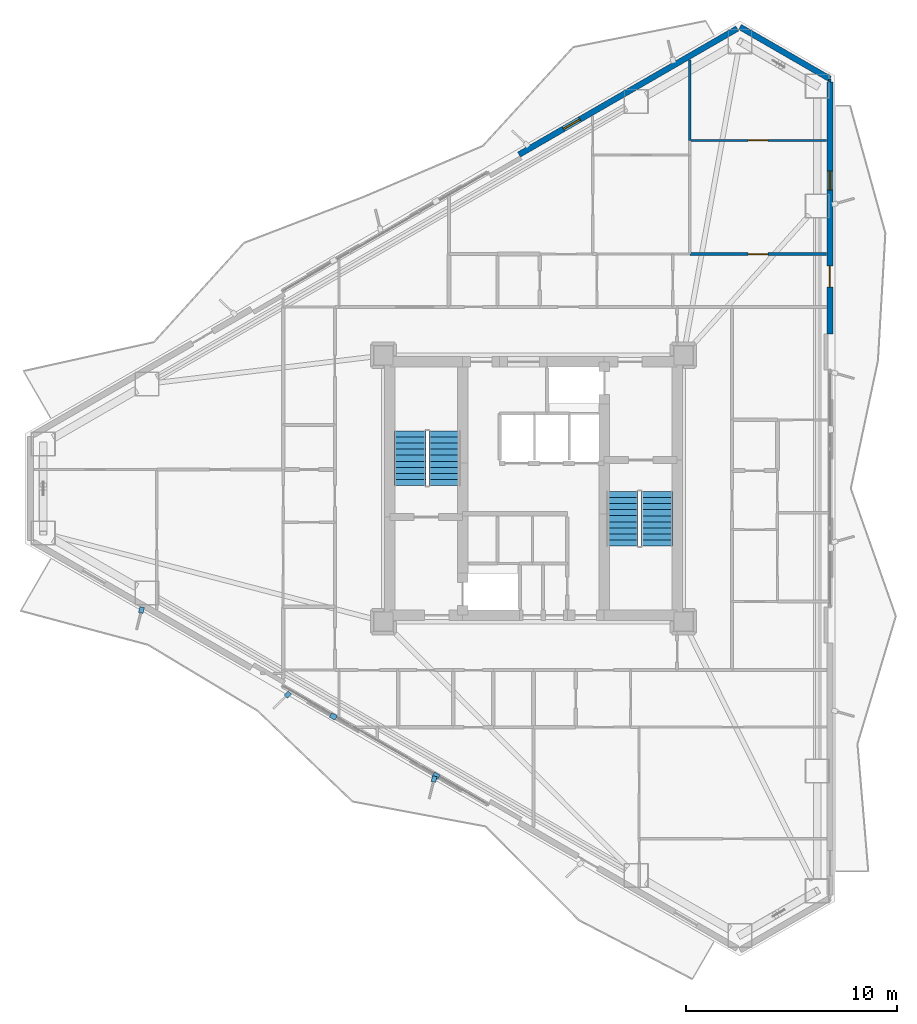
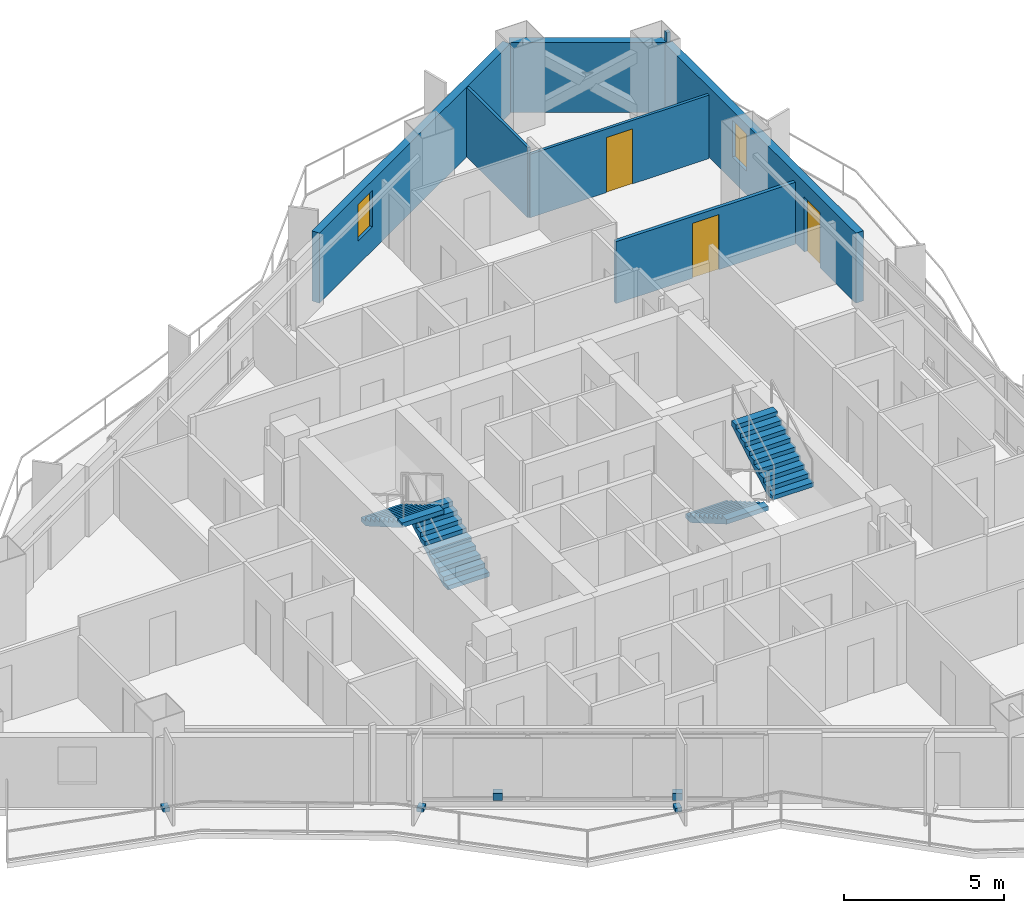
# One storey, part 20 of 23: 7 walls, 5 discrete accessories, 4 stair flights, 3 doors, 2 windows, 5 openings, 2 elements without a shape of their own.
"""IFC4 building model written with IfcOpenShell, lengths in metres."""

from ifc_helpers import new_model, si_unit, direction, frame, frame_2d, origin, origin_2d, place, context, subcontext, project, spatial, polyline, rectangle, outline, extrude, material, layer, layer_set, type_object, element, fill, aggregate, save


model = new_model("IFC4")

# Units and contexts
model_context = context("Model", 3, precision=1e-05, world=origin(), true_north=direction((0.0, 1.0)))
body_context = subcontext(model_context, "Body", "Model", "MODEL_VIEW")
ifc_project = project(units=[si_unit("LENGTHUNIT", "METRE"), si_unit("AREAUNIT", "SQUARE_METRE"), si_unit("VOLUMEUNIT", "CUBIC_METRE"), si_unit("PLANEANGLEUNIT", "RADIAN"), si_unit("MASSUNIT", "GRAM", prefix="KILO")], contexts=[model_context])

# Site, building, storey
site_placement = place(None, origin())
site = spatial("IfcSite", under=ifc_project, at=site_placement, CompositionType="ELEMENT")
building_placement = place(site_placement, origin())
building = spatial("IfcBuilding", under=site, at=building_placement, Name="Mersakhor Tower and Convention Hall", CompositionType="ELEMENT")
storey_placement = place(building_placement, frame((0.0, 0.0, 73.5)))
storey = spatial("IfcBuildingStorey", under=building, at=storey_placement, Name="L19", CompositionType="ELEMENT", Elevation=73.5)

# Wall
ifc_material_1 = material(Name="Precast concrete C45/55", Category="concrete")
ifc_layer_1 = layer(ifc_material_1, 0.27490234375)
ifc_layer_set_1 = layer_set([ifc_layer_1], Name="Precast concrete C45/55")
wall_type_1 = type_object("IfcWallType", Name="WL-EXT-275", PredefinedType="SOLIDWALL", material=ifc_layer_set_1)
wall_1_placement = place(storey_placement, frame((38.77880859375, 48.6015625, 0.0), z_axis=(0.0, 0.0, 1.0), x_axis=(0.866011848704, -0.500023477353, 0.0)))
element("IfcWall", 1, at=wall_1_placement, inside=storey, type_object=wall_type_1, Name="L19 Chamfer Braced Spandrel Wall C1", PredefinedType="SOLIDWALL", context=body_context, shape_type="SweptSolid", body=[
    extrude(rectangle(XDim=4.914306640625, YDim=0.27490234375, at=frame_2d((2.45703125, 0.0))), origin(), (0.0, 0.0, 1.0), 2.669921875),
])

# Wall, opening, window
wall_2_placement = place(storey_placement, frame((28.3173828125, 42.561767578125, 0.0), z_axis=(0.0, 0.0, 1.0), x_axis=(0.866023023012, 0.500004123596, 0.0)))
wall_2 = element("IfcWall", 2, at=wall_2_placement, inside=storey, type_object=wall_type_1, Name="L19 Exterior Facade Wall F1-B3", PredefinedType="SOLIDWALL", context=body_context, shape_type="SweptSolid", body=[
    extrude(rectangle(XDim=11.9296875, YDim=0.27490234375, at=frame_2d((5.96484375, 0.0))), origin(), (0.0, 0.0, 1.0), 2.669921875),
])
opening_1_placement = place(wall_2_placement, frame((2.427001953125, 0.0, 0.89990234375)))
opening_1 = element("IfcOpeningElement", 3, at=opening_1_placement, cuts=wall_2, Name="Opening W-06", PredefinedType="OPENING", context=body_context, shape_type="SweptSolid", body=[
    extrude(rectangle(XDim=0.89990234375, YDim=1.39990234375, at=frame_2d((0.449951171875, 0.699951171875))), frame((0.0, 0.1474609375, 0.0), z_axis=(0.0, -1.0, 0.0), x_axis=(1.0, 0.0, 0.0)), (0.0, 0.0, 1.0), 0.294921875),
])
ifc_material_2 = material(Name="Dark solar low-E glazed aluminium window", Category="aluminium")
window_type = type_object("IfcWindowType", Name="WN-STD-090x140", PartitioningType="SINGLE_PANEL", PredefinedType="WINDOW", material=ifc_material_2)
window_1_placement = place(opening_1_placement, origin())
window_1 = element("IfcWindow", 4, at=window_1_placement, inside=storey, type_object=window_type, Name="L19 Facade Punched Window F1-B3", OverallHeight=1.39990234375, OverallWidth=0.89990234375, PartitioningType="SINGLE_PANEL", PredefinedType="WINDOW", context=body_context, shape_type="SweptSolid", body=[
    extrude(rectangle(XDim=0.89990234375, YDim=1.39990234375, at=frame_2d((0.449951171875, 0.699951171875))), frame((0.0, 0.030029296875, 0.0), z_axis=(0.0, -1.0, 0.0), x_axis=(1.0, 0.0, 0.0)), (0.0, 0.0, 1.0), 0.06005859375),
])
fill(opening_1, window_1)

# Wall, openings, door, window
wall_3_placement = place(storey_placement, frame((43.03466796875, 45.994384765625, 0.0), z_axis=(0.0, 0.0, 1.0), x_axis=(0.0, -1.0, 0.0)))
wall_3 = element("IfcWall", 5, at=wall_3_placement, inside=storey, type_object=wall_type_1, Name="L19 Exterior Facade Wall F2-B1", PredefinedType="SOLIDWALL", context=body_context, shape_type="SweptSolid", body=[
    extrude(rectangle(XDim=11.9296875, YDim=0.27490234375, at=frame_2d((5.96484375, 0.0))), origin(), (0.0, 0.0, 1.0), 2.669921875),
])
opening_2_placement = place(wall_3_placement, frame((8.7041015625, 0.0, 0.0)))
opening_2 = element("IfcOpeningElement", 6, at=opening_2_placement, cuts=wall_3, Name="Opening BD-01", PredefinedType="OPENING", context=body_context, shape_type="SweptSolid", body=[
    extrude(rectangle(XDim=1.0, YDim=2.10009765625, at=frame_2d((0.5, 1.050048828125))), frame((0.0, 0.1474609375, 0.0), z_axis=(0.0, -1.0, 0.0), x_axis=(1.0, 0.0, 0.0)), (0.0, 0.0, 1.0), 0.294921875),
])
opening_3_placement = place(wall_3_placement, frame((4.214111328125, 0.0, 0.89990234375)))
opening_3 = element("IfcOpeningElement", 7, at=opening_3_placement, cuts=wall_3, Name="Opening W-06", PredefinedType="OPENING", context=body_context, shape_type="SweptSolid", body=[
    extrude(rectangle(XDim=0.89990234375, YDim=1.39990234375, at=frame_2d((0.449951171875, 0.699951171875))), frame((0.0, 0.1474609375, 0.0), z_axis=(0.0, -1.0, 0.0), x_axis=(1.0, 0.0, 0.0)), (0.0, 0.0, 1.0), 0.294921875),
])
ifc_material_3 = material(Name="Thermally broken dark aluminium and safety glass", Category="aluminium")
door_type_1 = type_object("IfcDoorType", Name="DR-BAL-100x210", OperationType="NOTDEFINED", PredefinedType="DOOR", material=ifc_material_3)
door_1_placement = place(opening_2_placement, origin())
door_1 = element("IfcDoor", 8, at=door_1_placement, inside=storey, type_object=door_type_1, Name="L19 Balcony Terrace Door F2-B1", OperationType="SINGLE_SWING_LEFT", OverallHeight=2.10009765625, OverallWidth=1.0, PredefinedType="DOOR", context=body_context, shape_type="SweptSolid", body=[
    extrude(rectangle(XDim=1.0, YDim=2.10009765625, at=frame_2d((0.5, 1.050048828125))), frame((0.0, 0.02490234375, 0.0), z_axis=(0.0, -1.0, 0.0), x_axis=(1.0, 0.0, 0.0)), (0.0, 0.0, 1.0), 0.050048828125),
])
fill(opening_2, door_1)
window_2_placement = place(opening_3_placement, origin())
window_2 = element("IfcWindow", 9, at=window_2_placement, inside=storey, type_object=window_type, Name="L19 Bedroom Facade Window F2-B1-1", OverallHeight=1.39990234375, OverallWidth=0.89990234375, PartitioningType="SINGLE_PANEL", PredefinedType="WINDOW", context=body_context, shape_type="SweptSolid", body=[
    extrude(rectangle(XDim=0.89990234375, YDim=1.39990234375, at=frame_2d((0.449951171875, 0.699951171875))), frame((0.0, 0.030029296875, 0.0), z_axis=(0.0, -1.0, 0.0), x_axis=(1.0, 0.0, 0.0)), (0.0, 0.0, 1.0), 0.06005859375),
])
fill(opening_3, window_2)

# Wall
ifc_material_4 = material(Name="Lightweight gypsum partition", Category="other")
ifc_layer_2 = layer(ifc_material_4, 0.10009765625)
ifc_layer_set_2 = layer_set([ifc_layer_2], Name="Lightweight gypsum partition")
wall_type_2 = type_object("IfcWallType", Name="WL-PRT-100", PredefinedType="PARTITIONING", material=ifc_layer_set_2)
wall_4_placement = place(storey_placement, frame((36.39990234375, 47.041748046875, 0.0), z_axis=(0.0, 0.0, 1.0), x_axis=(0.0, -1.0, 0.0)))
element("IfcWall", 10, at=wall_4_placement, inside=storey, type_object=wall_type_2, Name="L19 Interior Partition Wall P-116", PredefinedType="PARTITIONING", context=body_context, shape_type="SweptSolid", body=[
    extrude(rectangle(XDim=3.811767578125, YDim=0.10009765625, at=frame_2d((1.90576171875, 0.0))), origin(), (0.0, 0.0, 1.0), 2.660400390625),
])

# Wall, opening, door
wall_5_placement = place(storey_placement, frame((36.39990234375, 43.22998046875, 0.0), z_axis=(0.0, 0.0, 1.0), x_axis=(1.0, 0.0, 0.0)))
wall_5 = element("IfcWall", 11, at=wall_5_placement, inside=storey, type_object=wall_type_2, Name="L19 Interior Partition Wall P-118", PredefinedType="PARTITIONING", context=body_context, shape_type="SweptSolid", body=[
    extrude(rectangle(XDim=6.47314453125, YDim=0.10009765625, at=frame_2d((3.236572265625, 0.0))), origin(), (0.0, 0.0, 1.0), 2.4228515625),
])
opening_4_placement = place(wall_5_placement, frame((2.76171875, 0.0, 0.0)))
opening_4 = element("IfcOpeningElement", 12, at=opening_4_placement, cuts=wall_5, Name="Opening RD-01", PredefinedType="OPENING", context=body_context, shape_type="SweptSolid", body=[
    extrude(rectangle(XDim=0.949951171875, YDim=2.10009765625, at=frame_2d((0.47509765625, 1.050048828125))), frame((0.0, 0.06005859375, 0.0), z_axis=(0.0, -1.0, 0.0), x_axis=(1.0, 0.0, 0.0)), (0.0, 0.0, 1.0), 0.1201171875),
])
ifc_material_5 = material(Name="Solid-core hardwood leaf in painted steel frame", Category="steel")
door_type_2 = type_object("IfcDoorType", Name="DR-INT-RM-095x210", OperationType="NOTDEFINED", PredefinedType="DOOR", material=ifc_material_5)
door_2_placement = place(opening_4_placement, origin())
door_2 = element("IfcDoor", 13, at=door_2_placement, inside=storey, type_object=door_type_2, Name="L19 L19 Flat N1 Bedroom 2 to L19 Flat N1 Study Room Door", OperationType="SINGLE_SWING_RIGHT", OverallHeight=2.10009765625, OverallWidth=0.949951171875, PredefinedType="DOOR", context=body_context, shape_type="SweptSolid", body=[
    extrude(rectangle(XDim=0.949951171875, YDim=2.10009765625, at=frame_2d((0.47509765625, 1.050048828125))), frame((0.0, 0.02490234375, 0.0), z_axis=(0.0, -1.0, 0.0), x_axis=(1.0, 0.0, 0.0)), (0.0, 0.0, 1.0), 0.050048828125),
])
fill(opening_4, door_2)

ifc_material_6 = material(Name="Gypsum board acoustic partition", Category="other")
ifc_layer_3 = layer(ifc_material_6, 0.125)
ifc_layer_set_3 = layer_set([ifc_layer_3], Name="Gypsum board acoustic partition")
wall_type_3 = type_object("IfcWallType", Name="WL-PRT-125", PredefinedType="PARTITIONING", material=ifc_layer_set_3)
wall_6_placement = place(storey_placement, frame((36.39990234375, 37.85009765625, 0.0), z_axis=(0.0, 0.0, 1.0), x_axis=(1.0, 0.0, 0.0)))
wall_6 = element("IfcWall", 14, at=wall_6_placement, inside=storey, type_object=wall_type_3, Name="L19 Interior Partition Wall P-111", PredefinedType="PARTITIONING", context=body_context, shape_type="SweptSolid", body=[
    extrude(rectangle(XDim=6.47314453125, YDim=0.125, at=frame_2d((3.236572265625, 0.0))), origin(), (0.0, 0.0, 1.0), 2.364990234375),
])
opening_5_placement = place(wall_6_placement, frame((2.76171875, 0.0, 0.0)))
opening_5 = element("IfcOpeningElement", 15, at=opening_5_placement, cuts=wall_6, Name="Opening RD-01", PredefinedType="OPENING", context=body_context, shape_type="SweptSolid", body=[
    extrude(rectangle(XDim=0.949951171875, YDim=2.10009765625, at=frame_2d((0.47509765625, 1.050048828125))), frame((0.0, 0.072509765625, 0.0), z_axis=(0.0, -1.0, 0.0), x_axis=(1.0, 0.0, 0.0)), (0.0, 0.0, 1.0), 0.14501953125),
])
door_3_placement = place(opening_5_placement, origin())
door_3 = element("IfcDoor", 16, at=door_3_placement, inside=storey, type_object=door_type_2, Name="L19 L19 Flat N1 Study Room to L19 Flat N1 Bedroom 2 Door", OperationType="SINGLE_SWING_RIGHT", OverallHeight=2.10009765625, OverallWidth=0.949951171875, PredefinedType="DOOR", context=body_context, shape_type="SweptSolid", body=[
    extrude(rectangle(XDim=0.949951171875, YDim=2.10009765625, at=frame_2d((0.47509765625, 1.050048828125))), frame((0.0, 0.02490234375, 0.0), z_axis=(0.0, -1.0, 0.0), x_axis=(1.0, 0.0, 0.0)), (0.0, 0.0, 1.0), 0.050048828125),
])
fill(opening_5, door_3)

# Wall
wall_7_placement = place(storey_placement, frame((43.034912109375, 46.14404296875, 0.0), z_axis=(0.0, 0.0, 1.0), x_axis=(0.0, -1.0, 0.0)))
element("IfcWall", 17, at=wall_7_placement, inside=storey, type_object=wall_type_3, Name="L19 Interior Partition Wall P-119", PredefinedType="PARTITIONING", context=body_context, shape_type="SweptSolid", body=[
    extrude(rectangle(XDim=0.149658203125, YDim=0.125, at=frame_2d((0.07470703125, 0.0))), origin(), (0.0, 0.0, 1.0), 3.050048828125),
])

# Stair, stair flights
ifc_material_7 = material(Name="Concrete C45/55", Category="concrete")
stair_type = type_object("IfcStairType", Name="ST-TWR-20R", PredefinedType="HALF_TURN_STAIR", material=ifc_material_7)
stair_1_placement = place(storey_placement, origin())
stair_1 = element("IfcStair", 18, at=stair_1_placement, inside=storey, type_object=stair_type, Name="L19 Tower Protected Exit Stair ST-1", PredefinedType="HALF_TURN_STAIR")
ifc_material_8 = material(Name="Concrete C45/55", Category="concrete")
stair_flight_type = type_object("IfcStairFlightType", Name="SFL-TWR-20R", PredefinedType="STRAIGHT", material=ifc_material_8)
stair_flight_1_placement = place(storey_placement, frame((24.800048828125, 26.89990234375, 0.0), z_axis=(0.0, 0.0, 1.0), x_axis=(0.0, 1.0, 0.0)))
stair_flight_1 = element("IfcStairFlight", 19, at=stair_flight_1_placement, type_object=stair_flight_type, Name="ST-1 flight 1", NumberOfRisers=10, NumberOfTreads=9, PredefinedType="STRAIGHT", RiserHeight=0.165, TreadLength=0.285, context=body_context, shape_type="SweptSolid", body=[
    extrude(outline(polyline([(0.0, 0.0), (0.0, 0.1650390625), (0.284912109375, 0.1650390625), (0.284912109375, 0.330078125), (0.570068359375, 0.330078125), (0.570068359375, 0.4951171875), (0.85498046875, 0.4951171875), (0.85498046875, 0.659912109375), (1.139892578125, 0.659912109375), (1.139892578125, 0.824951171875), (1.425048828125, 0.824951171875), (1.425048828125, 0.989990234375), (1.7099609375, 0.989990234375), (1.7099609375, 1.155029296875), (1.9951171875, 1.155029296875), (1.9951171875, 1.320068359375), (2.280029296875, 1.320068359375), (2.280029296875, 1.485107421875), (2.56494140625, 1.485107421875), (2.56494140625, 1.64990234375), (2.56494140625, 1.311767578125), (0.299072265625, 0.0), (0.0, 0.0)])), frame((0.0, 0.75, 0.0), z_axis=(0.0, -1.0, 0.0), x_axis=(1.0, 0.0, 0.0)), (0.0, 0.0, 1.0), 1.5),
])
stair_flight_2_placement = place(storey_placement, frame((23.14990234375, 29.465087890625, 1.64990234375), z_axis=(0.0, 0.0, 1.0), x_axis=(0.0, -1.0, 0.0)))
stair_flight_2 = element("IfcStairFlight", 20, at=stair_flight_2_placement, type_object=stair_flight_type, Name="ST-1 flight 2", NumberOfRisers=10, NumberOfTreads=9, PredefinedType="STRAIGHT", RiserHeight=0.165, TreadLength=0.285, context=body_context, shape_type="SweptSolid", body=[
    extrude(outline(polyline([(0.0, 0.0), (0.0, 0.1650390625), (0.284912109375, 0.1650390625), (0.284912109375, 0.330078125), (0.570068359375, 0.330078125), (0.570068359375, 0.4951171875), (0.85498046875, 0.4951171875), (0.85498046875, 0.659912109375), (1.139892578125, 0.659912109375), (1.139892578125, 0.824951171875), (1.425048828125, 0.824951171875), (1.425048828125, 0.989990234375), (1.7099609375, 0.989990234375), (1.7099609375, 1.155029296875), (1.9951171875, 1.155029296875), (1.9951171875, 1.320068359375), (2.280029296875, 1.320068359375), (2.280029296875, 1.485107421875), (2.56494140625, 1.485107421875), (2.56494140625, 1.64990234375), (2.56494140625, 1.311767578125), (0.299072265625, 0.0), (0.0, 0.0)])), frame((0.0, 0.75, 0.0), z_axis=(0.0, -1.0, 0.0), x_axis=(1.0, 0.0, 0.0)), (0.0, 0.0, 1.0), 1.5),
])
aggregate(stair_1, [stair_flight_1, stair_flight_2])

stair_2_placement = place(storey_placement, origin())
stair_2 = element("IfcStair", 21, at=stair_2_placement, inside=storey, type_object=stair_type, Name="L19 Tower Protected Exit Stair ST-2", PredefinedType="HALF_TURN_STAIR")
stair_flight_3_placement = place(storey_placement, frame((33.199951171875, 26.60009765625, 0.0), z_axis=(0.0, 0.0, 1.0), x_axis=(0.0, -1.0, 0.0)))
stair_flight_3 = element("IfcStairFlight", 22, at=stair_flight_3_placement, type_object=stair_flight_type, Name="ST-2 flight 1", NumberOfRisers=10, NumberOfTreads=9, PredefinedType="STRAIGHT", RiserHeight=0.165, TreadLength=0.285, context=body_context, shape_type="SweptSolid", body=[
    extrude(outline(polyline([(0.0, 0.0), (0.0, 0.1650390625), (0.284912109375, 0.1650390625), (0.284912109375, 0.330078125), (0.570068359375, 0.330078125), (0.570068359375, 0.4951171875), (0.85498046875, 0.4951171875), (0.85498046875, 0.659912109375), (1.139892578125, 0.659912109375), (1.139892578125, 0.824951171875), (1.425048828125, 0.824951171875), (1.425048828125, 0.989990234375), (1.7099609375, 0.989990234375), (1.7099609375, 1.155029296875), (1.9951171875, 1.155029296875), (1.9951171875, 1.320068359375), (2.280029296875, 1.320068359375), (2.280029296875, 1.485107421875), (2.56494140625, 1.485107421875), (2.56494140625, 1.64990234375), (2.56494140625, 1.311767578125), (0.299072265625, 0.0), (0.0, 0.0)])), frame((0.0, 0.75, 0.0), z_axis=(0.0, -1.0, 0.0), x_axis=(1.0, 0.0, 0.0)), (0.0, 0.0, 1.0), 1.5),
])
stair_flight_4_placement = place(storey_placement, frame((34.85009765625, 24.034912109375, 1.64990234375), z_axis=(0.0, 0.0, 1.0), x_axis=(0.0, 1.0, 0.0)))
stair_flight_4 = element("IfcStairFlight", 23, at=stair_flight_4_placement, type_object=stair_flight_type, Name="ST-2 flight 2", NumberOfRisers=10, NumberOfTreads=9, PredefinedType="STRAIGHT", RiserHeight=0.165, TreadLength=0.285, context=body_context, shape_type="SweptSolid", body=[
    extrude(outline(polyline([(0.0, 0.0), (0.0, 0.1650390625), (0.284912109375, 0.1650390625), (0.284912109375, 0.330078125), (0.570068359375, 0.330078125), (0.570068359375, 0.4951171875), (0.85498046875, 0.4951171875), (0.85498046875, 0.659912109375), (1.139892578125, 0.659912109375), (1.139892578125, 0.824951171875), (1.425048828125, 0.824951171875), (1.425048828125, 0.989990234375), (1.7099609375, 0.989990234375), (1.7099609375, 1.155029296875), (1.9951171875, 1.155029296875), (1.9951171875, 1.320068359375), (2.280029296875, 1.320068359375), (2.280029296875, 1.485107421875), (2.56494140625, 1.485107421875), (2.56494140625, 1.64990234375), (2.56494140625, 1.311767578125), (0.299072265625, 0.0), (0.0, 0.0)])), frame((0.0, 0.75, 0.0), z_axis=(0.0, -1.0, 0.0), x_axis=(1.0, 0.0, 0.0)), (0.0, 0.0, 1.0), 1.5),
])
aggregate(stair_2, [stair_flight_3, stair_flight_4])

# Discrete accessories
ifc_material_9 = material(Name="Galvanised steel bracket", Category="steel")
ifc_layer_4 = layer(ifc_material_9, 0.02001953125)
ifc_layer_set_4 = layer_set([ifc_layer_4], Name="Galvanised steel bracket")
discrete_accessory_type = type_object("IfcDiscreteAccessoryType", Name="ACC-BRK-STL", PredefinedType="BRACKET", material=ifc_layer_set_4)
for number, where, z_axis, x_axis, name in (
    (24, (24.388916015625, 13.148681640625, 0.2900390625), (0.0, 0.0, 1.0), (-0.866025403784, 0.5, 0.0), "L19 Solar Screen Outrigger Bracket BRK-3-1"),
    (25, (19.526611328125, 15.9560546875, 0.2900390625), (0.0, 0.0, 1.0), (-0.866025403784, 0.5, 0.0), "L19 Solar Screen Outrigger Bracket BRK-3-2"),
):
    element("IfcDiscreteAccessory", number, at=place(storey_placement, frame(where, z_axis=z_axis, x_axis=x_axis)), inside=storey, type_object=discrete_accessory_type, Name=name, PredefinedType="BRACKET", context=body_context, shape_type="SweptSolid", body=[
        extrude(rectangle(XDim=0.300048828125, YDim=0.239990234375, at=origin_2d()), origin(), (0.0, 0.0, 1.0), 0.260009765625),
    ])
for number, where, z_axis, x_axis, name in (
    (26, (24.297119140625, 12.993896484375, -0.02001953125), (0.0, 0.0, 1.0), (-0.2419218956, -0.970295726276, 0.0), "L19 Facade Fin Base Cleat Bracket FBRK-3-2"),
    (27, (17.368896484375, 16.993896484375, -0.02001953125), (0.0, 0.0, 1.0), (-0.719339800339, -0.694658370459, 0.0), "L19 Facade Fin Base Cleat Bracket FBRK-3-3"),
    (28, (10.44091796875, 20.993896484375, -0.02001953125), (0.0, 0.0, 1.0), (-0.2419218956, -0.970295726276, 0.0), "L19 Facade Fin Base Cleat Bracket FBRK-3-4"),
):
    element("IfcDiscreteAccessory", number, at=place(storey_placement, frame(where, z_axis=z_axis, x_axis=x_axis)), inside=storey, type_object=discrete_accessory_type, Name=name, PredefinedType="BRACKET", context=body_context, shape_type="SweptSolid", body=[
        extrude(rectangle(XDim=0.280029296875, YDim=0.219970703125, at=origin_2d()), origin(), (0.0, 0.0, 1.0), 0.159912109375),
    ])

save(model, "model.ifc")
